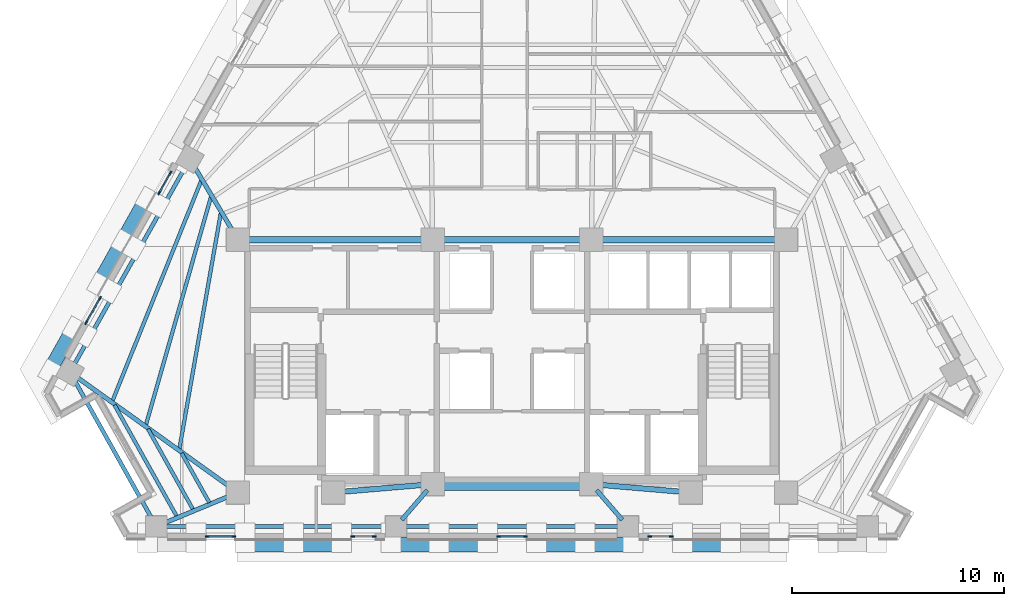
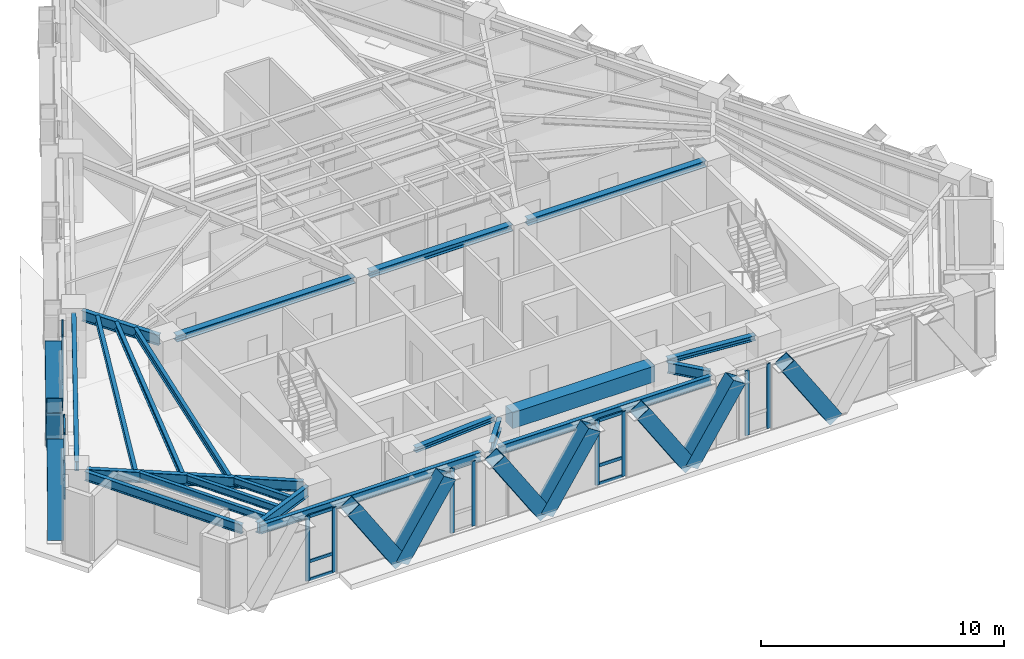
# One storey, part 2 of 13: 34 members, 21 beams, 6 elements without a shape of their own.
"""IFC4 building model written with IfcOpenShell, lengths in metres."""

from ifc_helpers import new_model, si_unit, direction, frame, origin, origin_2d, place, context, subcontext, project, spatial, rectangle, hollow_rectangle, i_section, extrude, material, material_profile, profile_set, type_object, element, aggregate, save


model = new_model("IFC4")

# Units and contexts
model_context = context("Model", 3, precision=1e-05, world=origin(), true_north=direction((0.0, 1.0)))
body_context = subcontext(model_context, "Body", "Model", "MODEL_VIEW")
ifc_project = project(units=[si_unit("LENGTHUNIT", "METRE"), si_unit("AREAUNIT", "SQUARE_METRE"), si_unit("VOLUMEUNIT", "CUBIC_METRE"), si_unit("PLANEANGLEUNIT", "RADIAN"), si_unit("MASSUNIT", "GRAM", prefix="KILO")], contexts=[model_context])

# Site, building, storey
site_placement = place(None, origin())
site = spatial("IfcSite", under=ifc_project, at=site_placement, CompositionType="ELEMENT")
building_placement = place(site_placement, origin())
building = spatial("IfcBuilding", under=site, at=building_placement, Name="Quenlor Broadcast Tower", CompositionType="ELEMENT")
storey_placement = place(building_placement, frame((0.0, 0.0, 130.0)))
storey = spatial("IfcBuildingStorey", under=building, at=storey_placement, Name="L35", CompositionType="ELEMENT", Elevation=130.0)

# Curtain wall, members
ifc_material_1 = material(Name="Architectural Terracotta and Low-E Glazing", Category="masonry")
curtain_wall_type = type_object("IfcCurtainWallType", Name="Unitised Terracotta Curtain Wall System Z3", PredefinedType="NOTDEFINED", material=ifc_material_1)
curtain_wall_1_placement = place(storey_placement, origin())
curtain_wall_1 = element("IfcCurtainWall", 1, at=curtain_wall_1_placement, inside=storey, type_object=curtain_wall_type, Name="L35 Curtain Wall CW3 (L35-SA-G2)", PredefinedType="NOTDEFINED")
ifc_material_2 = material(Name="Aluminium 6063-T6", Category="aluminium")
ifc_material_profile_1 = material_profile(ifc_material_2, rectangle(XDim=0.070068359375, YDim=0.18994140625, at=origin_2d()))
ifc_profile_set_1 = profile_set([ifc_material_profile_1], Name="Aluminium 6063-T6 MULL70x190")
member_type_1 = type_object("IfcMemberType", Name="CW3 Aluminium Mullion MULL_CW3", PredefinedType="MULLION", material=ifc_profile_set_1)
member_1_placement = place(storey_placement, frame((7.52197265625, -18.824951171875, 0.0), z_axis=(0.0, 0.0, 1.0), x_axis=(0.0, -1.0, 0.0)))
member_1 = element("IfcMember", 2, at=member_1_placement, type_object=member_type_1, Name="CW3 mullion 1", PredefinedType="MULLION", context=body_context, shape_type="SweptSolid", body=[
    extrude(rectangle(XDim=0.070068359375, YDim=0.18994140625, at=origin_2d()), origin(), (0.0, 0.0, 1.0), 3.25),
])
member_2_placement = place(storey_placement, frame((6.5009765625, -18.824951171875, 0.0), z_axis=(0.0, 0.0, 1.0), x_axis=(0.0, -1.0, 0.0)))
member_2 = element("IfcMember", 3, at=member_2_placement, type_object=member_type_1, Name="CW3 mullion 2", PredefinedType="MULLION", context=body_context, shape_type="SweptSolid", body=[
    extrude(rectangle(XDim=0.070068359375, YDim=0.18994140625, at=origin_2d()), origin(), (0.0, 0.0, 1.0), 3.25),
])
aggregate(curtain_wall_1, [member_1, member_2])

curtain_wall_2_placement = place(storey_placement, origin())
curtain_wall_2 = element("IfcCurtainWall", 4, at=curtain_wall_2_placement, inside=storey, type_object=curtain_wall_type, Name="L35 Curtain Wall CW3 (L35-SC-G1)", PredefinedType="NOTDEFINED")
member_3_placement = place(storey_placement, frame((-6.5009765625, -18.824951171875, 0.0), z_axis=(0.0, 0.0, 1.0), x_axis=(0.0, -1.0, 0.0)))
member_3 = element("IfcMember", 5, at=member_3_placement, type_object=member_type_1, Name="CW3 mullion 1", PredefinedType="MULLION", context=body_context, shape_type="SweptSolid", body=[
    extrude(rectangle(XDim=0.070068359375, YDim=0.18994140625, at=origin_2d()), origin(), (0.0, 0.0, 1.0), 3.25),
])
member_4_placement = place(storey_placement, frame((-7.52197265625, -18.824951171875, 0.0), z_axis=(0.0, 0.0, 1.0), x_axis=(0.0, -1.0, 0.0)))
member_4 = element("IfcMember", 6, at=member_4_placement, type_object=member_type_1, Name="CW3 mullion 2", PredefinedType="MULLION", context=body_context, shape_type="SweptSolid", body=[
    extrude(rectangle(XDim=0.070068359375, YDim=0.18994140625, at=origin_2d()), origin(), (0.0, 0.0, 1.0), 3.25),
])
aggregate(curtain_wall_2, [member_3, member_4])

curtain_wall_3_placement = place(storey_placement, origin())
curtain_wall_3 = element("IfcCurtainWall", 7, at=curtain_wall_3_placement, inside=storey, type_object=curtain_wall_type, Name="L35 Curtain Wall CW3 (L35-SC-G2)", PredefinedType="NOTDEFINED")
member_5_placement = place(storey_placement, frame((-13.14208984375, -18.824951171875, 0.0), z_axis=(0.0, 0.0, 1.0), x_axis=(0.0, -1.0, 0.0)))
member_5 = element("IfcMember", 8, at=member_5_placement, type_object=member_type_1, Name="CW3 mullion 1", PredefinedType="MULLION", context=body_context, shape_type="SweptSolid", body=[
    extrude(rectangle(XDim=0.070068359375, YDim=0.18994140625, at=origin_2d()), origin(), (0.0, 0.0, 1.0), 3.25),
])
member_6_placement = place(storey_placement, frame((-14.409912109375, -18.824951171875, 0.0), z_axis=(0.0, 0.0, 1.0), x_axis=(0.0, -1.0, 0.0)))
member_6 = element("IfcMember", 9, at=member_6_placement, type_object=member_type_1, Name="CW3 mullion 2", PredefinedType="MULLION", context=body_context, shape_type="SweptSolid", body=[
    extrude(rectangle(XDim=0.070068359375, YDim=0.18994140625, at=origin_2d()), origin(), (0.0, 0.0, 1.0), 3.25),
])

curtain_wall_4_placement = place(storey_placement, origin())
curtain_wall_4 = element("IfcCurtainWall", 10, at=curtain_wall_4_placement, inside=storey, type_object=curtain_wall_type, Name="L35 Curtain Wall CW3 (L35-S-G1)", PredefinedType="NOTDEFINED")
member_7_placement = place(storey_placement, frame((0.634033203125, -18.824951171875, 0.0), z_axis=(0.0, 0.0, 1.0), x_axis=(0.0, -1.0, 0.0)))
member_7 = element("IfcMember", 11, at=member_7_placement, type_object=member_type_1, Name="CW3 mullion 1", PredefinedType="MULLION", context=body_context, shape_type="SweptSolid", body=[
    extrude(rectangle(XDim=0.070068359375, YDim=0.18994140625, at=origin_2d()), origin(), (0.0, 0.0, 1.0), 3.25),
])
member_8_placement = place(storey_placement, frame((-0.634033203125, -18.824951171875, 0.0), z_axis=(0.0, 0.0, 1.0), x_axis=(0.0, -1.0, 0.0)))
member_8 = element("IfcMember", 12, at=member_8_placement, type_object=member_type_1, Name="CW3 mullion 2", PredefinedType="MULLION", context=body_context, shape_type="SweptSolid", body=[
    extrude(rectangle(XDim=0.070068359375, YDim=0.18994140625, at=origin_2d()), origin(), (0.0, 0.0, 1.0), 3.25),
])

curtain_wall_5_placement = place(storey_placement, origin())
curtain_wall_5 = element("IfcCurtainWall", 13, at=curtain_wall_5_placement, inside=storey, type_object=curtain_wall_type, Name="L35 Curtain Wall CW3 (L35-NWA-G1)", PredefinedType="NOTDEFINED")
member_9_placement = place(storey_placement, frame((-20.1171875, -8.720703125, 0.0), z_axis=(0.0, 0.0, 1.0), x_axis=(-0.871575537123, 0.490261239636, 0.0)))
member_9 = element("IfcMember", 14, at=member_9_placement, type_object=member_type_1, Name="CW3 mullion 1", PredefinedType="MULLION", context=body_context, shape_type="SweptSolid", body=[
    extrude(rectangle(XDim=0.070068359375, YDim=0.18994140625, at=origin_2d()), origin(), (0.0, 0.0, 1.0), 3.25),
])
member_10_placement = place(storey_placement, frame((-19.47021484375, -7.570556640625, 0.0), z_axis=(0.0, 0.0, 1.0), x_axis=(-0.871575537123, 0.490261239636, 0.0)))
member_10 = element("IfcMember", 15, at=member_10_placement, type_object=member_type_1, Name="CW3 mullion 2", PredefinedType="MULLION", context=body_context, shape_type="SweptSolid", body=[
    extrude(rectangle(XDim=0.070068359375, YDim=0.18994140625, at=origin_2d()), origin(), (0.0, 0.0, 1.0), 3.25),
])

curtain_wall_6_placement = place(storey_placement, origin())
curtain_wall_6 = element("IfcCurtainWall", 16, at=curtain_wall_6_placement, inside=storey, type_object=curtain_wall_type, Name="L35 Curtain Wall CW3 (L35-NWA-G2)", PredefinedType="NOTDEFINED")
member_11_placement = place(storey_placement, frame((-16.6689453125, -2.5908203125, 0.0), z_axis=(0.0, 0.0, 1.0), x_axis=(-0.871580169247, 0.490253004657, 0.0)))
member_11 = element("IfcMember", 17, at=member_11_placement, type_object=member_type_1, Name="CW3 mullion 1", PredefinedType="MULLION", context=body_context, shape_type="SweptSolid", body=[
    extrude(rectangle(XDim=0.070068359375, YDim=0.18994140625, at=origin_2d()), origin(), (0.0, 0.0, 1.0), 3.25),
])
member_12_placement = place(storey_placement, frame((-16.137939453125, -1.646728515625, 0.0), z_axis=(0.0, 0.0, 1.0), x_axis=(-0.871580169247, 0.490253004657, 0.0)))
member_12 = element("IfcMember", 18, at=member_12_placement, type_object=member_type_1, Name="CW3 mullion 2", PredefinedType="MULLION", context=body_context, shape_type="SweptSolid", body=[
    extrude(rectangle(XDim=0.070068359375, YDim=0.18994140625, at=origin_2d()), origin(), (0.0, 0.0, 1.0), 3.25),
])

# Member
ifc_material_3 = material(Name="Aluminium 6063-T6", Category="aluminium")
ifc_material_profile_2 = material_profile(ifc_material_3, rectangle(XDim=0.070068359375, YDim=0.155029296875, at=origin_2d()))
ifc_profile_set_2 = profile_set([ifc_material_profile_2], Name="Aluminium 6063-T6 TRAN70x155")
member_type_2 = type_object("IfcMemberType", Name="CW3 Aluminium Transom TRAN_CW3", PredefinedType="USERDEFINED", material=ifc_profile_set_2)
member_13_placement = place(storey_placement, frame((-13.177001953125, -18.824951171875, 0.034912109375), z_axis=(-1.0, 0.0, 0.0), x_axis=(0.0, -1.0, 0.0)))
member_13 = element("IfcMember", 19, at=member_13_placement, type_object=member_type_2, Name="CW3 transom 1.1", ObjectType="TRANSOM", PredefinedType="USERDEFINED", context=body_context, shape_type="SweptSolid", body=[
    extrude(rectangle(XDim=0.070068359375, YDim=0.155029296875, at=origin_2d()), origin(), (0.0, 0.0, 1.0), 1.197998046875),
])

member_14_placement = place(storey_placement, frame((-13.177001953125, -18.824951171875, 0.949951171875), z_axis=(-1.0, 0.0, 0.0), x_axis=(0.0, -1.0, 0.0)))
member_14 = element("IfcMember", 20, at=member_14_placement, type_object=member_type_2, Name="CW3 transom 1.2", ObjectType="TRANSOM", PredefinedType="USERDEFINED", context=body_context, shape_type="SweptSolid", body=[
    extrude(rectangle(XDim=0.070068359375, YDim=0.155029296875, at=origin_2d()), origin(), (0.0, 0.0, 1.0), 1.197998046875),
])

member_15_placement = place(storey_placement, frame((-13.177001953125, -18.824951171875, 3.215087890625), z_axis=(-1.0, 0.0, 0.0), x_axis=(0.0, -1.0, 0.0)))
member_15 = element("IfcMember", 21, at=member_15_placement, type_object=member_type_2, Name="CW3 transom 1.3", ObjectType="TRANSOM", PredefinedType="USERDEFINED", context=body_context, shape_type="SweptSolid", body=[
    extrude(rectangle(XDim=0.070068359375, YDim=0.155029296875, at=origin_2d()), origin(), (0.0, 0.0, 1.0), 1.197998046875),
])

aggregate(curtain_wall_3, [member_5, member_6, member_13, member_14, member_15])

member_16_placement = place(storey_placement, frame((0.59912109375, -18.824951171875, 0.034912109375), z_axis=(-1.0, 0.0, 0.0), x_axis=(0.0, -1.0, 0.0)))
member_16 = element("IfcMember", 22, at=member_16_placement, type_object=member_type_2, Name="CW3 transom 1.1", ObjectType="TRANSOM", PredefinedType="USERDEFINED", context=body_context, shape_type="SweptSolid", body=[
    extrude(rectangle(XDim=0.070068359375, YDim=0.155029296875, at=origin_2d()), origin(), (0.0, 0.0, 1.0), 1.1982421875),
])

member_17_placement = place(storey_placement, frame((0.59912109375, -18.824951171875, 0.949951171875), z_axis=(-1.0, 0.0, 0.0), x_axis=(0.0, -1.0, 0.0)))
member_17 = element("IfcMember", 23, at=member_17_placement, type_object=member_type_2, Name="CW3 transom 1.2", ObjectType="TRANSOM", PredefinedType="USERDEFINED", context=body_context, shape_type="SweptSolid", body=[
    extrude(rectangle(XDim=0.070068359375, YDim=0.155029296875, at=origin_2d()), origin(), (0.0, 0.0, 1.0), 1.1982421875),
])

member_18_placement = place(storey_placement, frame((0.59912109375, -18.824951171875, 3.215087890625), z_axis=(-1.0, 0.0, 0.0), x_axis=(0.0, -1.0, 0.0)))
member_18 = element("IfcMember", 24, at=member_18_placement, type_object=member_type_2, Name="CW3 transom 1.3", ObjectType="TRANSOM", PredefinedType="USERDEFINED", context=body_context, shape_type="SweptSolid", body=[
    extrude(rectangle(XDim=0.070068359375, YDim=0.155029296875, at=origin_2d()), origin(), (0.0, 0.0, 1.0), 1.1982421875),
])

aggregate(curtain_wall_4, [member_7, member_8, member_16, member_17, member_18])

member_19_placement = place(storey_placement, frame((-20.10009765625, -8.690185546875, 0.034912109375), z_axis=(0.490363266059, 0.871518139398, 0.0), x_axis=(-0.871518139398, 0.490363266059, 0.0)))
member_19 = element("IfcMember", 25, at=member_19_placement, type_object=member_type_2, Name="CW3 transom 1.1", ObjectType="TRANSOM", PredefinedType="USERDEFINED", context=body_context, shape_type="SweptSolid", body=[
    extrude(rectangle(XDim=0.070068359375, YDim=0.155029296875, at=origin_2d()), origin(), (0.0, 0.0, 1.0), 1.249755859375),
])

member_20_placement = place(storey_placement, frame((-20.10009765625, -8.690185546875, 0.949951171875), z_axis=(0.490363266059, 0.871518139398, 0.0), x_axis=(-0.871518139398, 0.490363266059, 0.0)))
member_20 = element("IfcMember", 26, at=member_20_placement, type_object=member_type_2, Name="CW3 transom 1.2", ObjectType="TRANSOM", PredefinedType="USERDEFINED", context=body_context, shape_type="SweptSolid", body=[
    extrude(rectangle(XDim=0.070068359375, YDim=0.155029296875, at=origin_2d()), origin(), (0.0, 0.0, 1.0), 1.249755859375),
])

member_21_placement = place(storey_placement, frame((-20.10009765625, -8.690185546875, 3.215087890625), z_axis=(0.490363266059, 0.871518139398, 0.0), x_axis=(-0.871518139398, 0.490363266059, 0.0)))
member_21 = element("IfcMember", 27, at=member_21_placement, type_object=member_type_2, Name="CW3 transom 1.3", ObjectType="TRANSOM", PredefinedType="USERDEFINED", context=body_context, shape_type="SweptSolid", body=[
    extrude(rectangle(XDim=0.070068359375, YDim=0.155029296875, at=origin_2d()), origin(), (0.0, 0.0, 1.0), 1.249755859375),
])

aggregate(curtain_wall_5, [member_9, member_10, member_19, member_20, member_21])

member_22_placement = place(storey_placement, frame((-16.65185546875, -2.560302734375, 0.034912109375), z_axis=(0.49015826449, 0.871633452635, 0.0), x_axis=(-0.871633452635, 0.49015826449, 0.0)))
member_22 = element("IfcMember", 28, at=member_22_placement, type_object=member_type_2, Name="CW3 transom 1.1", ObjectType="TRANSOM", PredefinedType="USERDEFINED", context=body_context, shape_type="SweptSolid", body=[
    extrude(rectangle(XDim=0.070068359375, YDim=0.155029296875, at=origin_2d()), origin(), (0.0, 0.0, 1.0), 1.01318359375),
])

member_23_placement = place(storey_placement, frame((-16.65185546875, -2.560302734375, 0.949951171875), z_axis=(0.49015826449, 0.871633452635, 0.0), x_axis=(-0.871633452635, 0.49015826449, 0.0)))
member_23 = element("IfcMember", 29, at=member_23_placement, type_object=member_type_2, Name="CW3 transom 1.2", ObjectType="TRANSOM", PredefinedType="USERDEFINED", context=body_context, shape_type="SweptSolid", body=[
    extrude(rectangle(XDim=0.070068359375, YDim=0.155029296875, at=origin_2d()), origin(), (0.0, 0.0, 1.0), 1.01318359375),
])

member_24_placement = place(storey_placement, frame((-16.65185546875, -2.560302734375, 3.215087890625), z_axis=(0.49015826449, 0.871633452635, 0.0), x_axis=(-0.871633452635, 0.49015826449, 0.0)))
member_24 = element("IfcMember", 30, at=member_24_placement, type_object=member_type_2, Name="CW3 transom 1.3", ObjectType="TRANSOM", PredefinedType="USERDEFINED", context=body_context, shape_type="SweptSolid", body=[
    extrude(rectangle(XDim=0.070068359375, YDim=0.155029296875, at=origin_2d()), origin(), (0.0, 0.0, 1.0), 1.01318359375),
])

aggregate(curtain_wall_6, [member_11, member_12, member_22, member_23, member_24])

# Beams
ifc_material_4 = material(Name="Concrete C50/60", Category="concrete")
ifc_material_profile_3 = material_profile(ifc_material_4, rectangle(XDim=0.60009765625, YDim=0.800048828125, at=origin_2d()))
ifc_profile_set_3 = profile_set([ifc_material_profile_3], Name="Concrete C50/60 RCB600x800")
beam_type_1 = type_object("IfcBeamType", Name="Core Coupling Beam Concrete C50/60 600x800", PredefinedType="BEAM", material=ifc_profile_set_3)
beam_1_placement = place(storey_placement, frame((-3.389892578125, -16.35009765625, 2.85009765625), z_axis=(1.0, 0.0, 0.0), x_axis=(0.0, 1.0, 0.0)))
element("IfcBeam", 31, at=beam_1_placement, inside=storey, type_object=beam_type_1, Name="L35 Core Coupling Beam 6", PredefinedType="BEAM", context=body_context, shape_type="SweptSolid", body=[
    extrude(rectangle(XDim=0.60009765625, YDim=0.800048828125, at=origin_2d()), origin(), (0.0, 0.0, 1.0), 6.77978515625),
])
ifc_material_5 = material(Name="Steel S355", Category="steel")
ifc_material_profile_4 = material_profile(ifc_material_5, i_section(OverallWidth=0.304931640625, OverallDepth=0.30810546875, WebThickness=0.010009765625, FlangeThickness=0.015380859375, FilletRadius=0.0166015625, at=origin_2d()))
ifc_profile_set_4 = profile_set([ifc_material_profile_4], Name="Steel S355 310UC96.8")
beam_type_2 = type_object("IfcBeamType", Name="Core Header Beam Steel S355 310UC96.8", PredefinedType="BEAM", material=ifc_profile_set_4)
beam_2_placement = place(storey_placement, frame((-3.389892578125, -4.800048828125, 3.095947265625), z_axis=(1.0, 0.0, 0.0), x_axis=(0.0, 1.0, 0.0)))
element("IfcBeam", 32, at=beam_2_placement, inside=storey, type_object=beam_type_2, Name="L35 Core Header Beam 2", PredefinedType="BEAM", context=body_context, shape_type="SweptSolid", body=[
    extrude(i_section(OverallWidth=0.304931640625, OverallDepth=0.30810546875, WebThickness=0.010009765625, FlangeThickness=0.015380859375, FilletRadius=0.0166015625, at=origin_2d()), origin(), (0.0, 0.0, 1.0), 6.77978515625),
])
ifc_material_6 = material(Name="Steel S355", Category="steel")
ifc_material_profile_5 = material_profile(ifc_material_6, i_section(OverallWidth=0.25390625, OverallDepth=0.25390625, WebThickness=0.008544921875, FlangeThickness=0.01416015625, FilletRadius=0.013916015625, at=origin_2d()))
ifc_profile_set_5 = profile_set([ifc_material_profile_5], Name="Steel S355 250UC72.9")
beam_type_3 = type_object("IfcBeamType", Name="Core Opening Lintel Beam Steel S355 250UC72.9", PredefinedType="LINTEL", material=ifc_profile_set_5)
for number, where, z_axis, x_axis, name in (
    (33, (-8.09130859375, -16.719482421875, 3.123046875), (0.996399763903, 0.084779186679, 0.0), (-0.084779186679, 0.996399763903, 0.0), "L35 Core Opening Lintel Beam 4"),
    (34, (4.108642578125, -16.380615234375, 3.123046875), (0.996399763903, -0.084779186679, 0.0), (0.084779186679, 0.996399763903, 0.0), "L35 Core Opening Lintel Beam 5"),
):
    element("IfcBeam", number, at=place(storey_placement, frame(where, z_axis=z_axis, x_axis=x_axis)), inside=storey, type_object=beam_type_3, Name=name, PredefinedType="LINTEL", context=body_context, shape_type="SweptSolid", body=[
        extrude(i_section(OverallWidth=0.25390625, OverallDepth=0.25390625, WebThickness=0.008544921875, FlangeThickness=0.01416015625, FilletRadius=0.013916015625, at=origin_2d()), origin(), (0.0, 0.0, 1.0), 3.9970703125),
    ])
ifc_material_7 = material(Name="Steel S355", Category="steel")
ifc_material_profile_6 = material_profile(ifc_material_7, i_section(OverallWidth=0.306884765625, OverallDepth=0.314697265625, WebThickness=0.011962890625, FlangeThickness=0.018798828125, FilletRadius=0.0166015625, at=origin_2d()))
ifc_profile_set_6 = profile_set([ifc_material_profile_6], Name="Steel S355 310UC118")
beam_type_4 = type_object("IfcBeamType", Name="Core Tie Beam Steel S355 310UC118", PredefinedType="BEAM", material=ifc_profile_set_6)
for number, where, z_axis, x_axis, name in (
    (35, (-12.590087890625, -4.800048828125, 3.0927734375), (1.0, 0.0, 0.0), (0.0, 1.0, 0.0), "L35 Core Tie Beam 1"),
    (36, (4.110107421875, -4.800048828125, 3.0927734375), (1.0, 0.0, 0.0), (0.0, 1.0, 0.0), "L35 Core Tie Beam 3"),
):
    element("IfcBeam", number, at=place(storey_placement, frame(where, z_axis=z_axis, x_axis=x_axis)), inside=storey, type_object=beam_type_4, Name=name, PredefinedType="BEAM", context=body_context, shape_type="SweptSolid", body=[
        extrude(i_section(OverallWidth=0.306884765625, OverallDepth=0.314697265625, WebThickness=0.011962890625, FlangeThickness=0.018798828125, FilletRadius=0.0166015625, at=origin_2d()), origin(), (0.0, 0.0, 1.0), 8.47998046875),
    ])

# Members
ifc_material_8 = material(Name="Steel S355", Category="steel")
ifc_material_profile_7 = material_profile(ifc_material_8, hollow_rectangle(XDim=0.679931640625, YDim=0.679931640625, WallThickness=0.02490234375, at=origin_2d()))
ifc_profile_set_7 = profile_set([ifc_material_profile_7], Name="Steel S355 RHS680x680x25")
member_type_3 = type_object("IfcMemberType", Name="Perimeter Diagonal Lattice Brace Z3-Z4 Steel S355 RHS680x25", PredefinedType="BRACE", material=ifc_profile_set_7)
member_25_placement = place(storey_placement, frame((10.318115234375, -19.219970703125, -0.1201171875), z_axis=(-0.543860340502, 0.0, 0.839175744424), x_axis=(0.0, -1.0, 0.0)))
element("IfcMember", 37, at=member_25_placement, inside=storey, type_object=member_type_3, Name="L35 Perimeter Diamond Lattice S-C2S", PredefinedType="BRACE", context=body_context, shape_type="SweptSolid", body=[
    extrude(hollow_rectangle(XDim=0.679931640625, YDim=0.679931640625, WallThickness=0.02490234375, at=origin_2d()), origin(), (0.0, 0.0, 1.0), 4.170654296875),
])
member_26_placement = place(storey_placement, frame((3.457763671875, -19.219970703125, -0.1201171875), z_axis=(0.543901560697, 0.0, 0.839149028643), x_axis=(0.0, 1.0, 0.0)))
element("IfcMember", 38, at=member_26_placement, inside=storey, type_object=member_type_3, Name="L35 Perimeter Diamond Lattice S-C2B", PredefinedType="BRACE", context=body_context, shape_type="SweptSolid", body=[
    extrude(hollow_rectangle(XDim=0.679931640625, YDim=0.679931640625, WallThickness=0.02490234375, at=origin_2d()), origin(), (0.0, 0.0, 1.0), 4.1708984375),
])
for number, where, z_axis, x_axis, name in (
    (39, (3.43017578125, -19.219970703125, -0.1201171875), (-0.543860340502, 0.0, 0.839175744424), (0.0, -1.0, 0.0), "L35 Perimeter Diamond Lattice S-C3S"),
    (40, (-3.43017578125, -19.219970703125, -0.1201171875), (0.543860340502, 0.0, 0.839175744424), (0.0, 1.0, 0.0), "L35 Perimeter Diamond Lattice S-C3B"),
):
    element("IfcMember", number, at=place(storey_placement, frame(where, z_axis=z_axis, x_axis=x_axis)), inside=storey, type_object=member_type_3, Name=name, PredefinedType="BRACE", context=body_context, shape_type="SweptSolid", body=[
        extrude(hollow_rectangle(XDim=0.679931640625, YDim=0.679931640625, WallThickness=0.02490234375, at=origin_2d()), origin(), (0.0, 0.0, 1.0), 4.170654296875),
    ])
member_27_placement = place(storey_placement, frame((-3.457763671875, -19.219970703125, -0.1201171875), z_axis=(-0.543901560697, 0.0, 0.839149028643), x_axis=(0.0, -1.0, 0.0)))
element("IfcMember", 41, at=member_27_placement, inside=storey, type_object=member_type_3, Name="L35 Perimeter Diamond Lattice S-C4S", PredefinedType="BRACE", context=body_context, shape_type="SweptSolid", body=[
    extrude(hollow_rectangle(XDim=0.679931640625, YDim=0.679931640625, WallThickness=0.02490234375, at=origin_2d()), origin(), (0.0, 0.0, 1.0), 4.1708984375),
])
member_28_placement = place(storey_placement, frame((-10.318115234375, -19.219970703125, -0.1201171875), z_axis=(0.543860340502, 0.0, 0.839175744424), x_axis=(0.0, 1.0, 0.0)))
element("IfcMember", 42, at=member_28_placement, inside=storey, type_object=member_type_3, Name="L35 Perimeter Diamond Lattice S-C4B", PredefinedType="BRACE", context=body_context, shape_type="SweptSolid", body=[
    extrude(hollow_rectangle(XDim=0.679931640625, YDim=0.679931640625, WallThickness=0.02490234375, at=origin_2d()), origin(), (0.0, 0.0, 1.0), 4.170654296875),
])
member_29_placement = place(storey_placement, frame((-10.345703125, -19.219970703125, -0.1201171875), z_axis=(-0.543901560697, 0.0, 0.839149028643), x_axis=(0.0, -1.0, 0.0)))
element("IfcMember", 43, at=member_29_placement, inside=storey, type_object=member_type_3, Name="L35 Perimeter Diamond Lattice S-C5S", PredefinedType="BRACE", context=body_context, shape_type="SweptSolid", body=[
    extrude(hollow_rectangle(XDim=0.679931640625, YDim=0.679931640625, WallThickness=0.02490234375, at=origin_2d()), origin(), (0.0, 0.0, 1.0), 4.1708984375),
])
for number, where, z_axis, x_axis, name in (
    (44, (-21.85498046875, -11.004638671875, -0.1201171875), (0.2705491942, 0.481008661973, 0.833926735766), (-0.871589611547, 0.490236217596, 0.0), "L35 Perimeter Diamond Lattice NW-C1S"),
    (45, (-18.4208984375, -4.8994140625, -0.1201171875), (-0.2705491942, -0.481008661973, 0.833926735766), (0.871589611547, -0.490236217596, 0.0), "L35 Perimeter Diamond Lattice NW-C1B"),
    (46, (-18.406982421875, -4.874755859375, -0.1201171875), (0.2705491942, 0.481008661973, 0.833926735766), (-0.871589611547, 0.490236217596, 0.0), "L35 Perimeter Diamond Lattice NW-C2S"),
):
    element("IfcMember", number, at=place(storey_placement, frame(where, z_axis=z_axis, x_axis=x_axis)), inside=storey, type_object=member_type_3, Name=name, PredefinedType="BRACE", context=body_context, shape_type="SweptSolid", body=[
        extrude(hollow_rectangle(XDim=0.679931640625, YDim=0.679931640625, WallThickness=0.02490234375, at=origin_2d()), origin(), (0.0, 0.0, 1.0), 4.197021484375),
    ])

# Beams
ifc_material_9 = material(Name="Steel S355", Category="steel")
ifc_material_profile_8 = material_profile(ifc_material_9, i_section(OverallWidth=0.19091796875, OverallDepth=0.46044921875, WebThickness=0.010009765625, FlangeThickness=0.01611328125, FilletRadius=0.011474609375, at=origin_2d()))
ifc_profile_set_8 = profile_set([ifc_material_profile_8], Name="Steel S355 460UB82.1")
beam_type_5 = type_object("IfcBeamType", Name="Perimeter Spandrel Beam Z3 Steel S355 460UB82.1", PredefinedType="SPANDREL", material=ifc_profile_set_8)
beam_3_placement = place(storey_placement, frame((-16.3984375, -18.35009765625, 3.019775390625), z_axis=(1.0, 0.0, 0.0), x_axis=(0.0, 1.0, 0.0)))
element("IfcBeam", 47, at=beam_3_placement, inside=storey, type_object=beam_type_5, Name="L35 Spandrel Beam S1-S2", PredefinedType="SPANDREL", context=body_context, shape_type="SweptSolid", body=[
    extrude(i_section(OverallWidth=0.19091796875, OverallDepth=0.46044921875, WebThickness=0.010009765625, FlangeThickness=0.01611328125, FilletRadius=0.011474609375, at=origin_2d()), origin(), (0.0, 0.0, 1.0), 10.50732421875),
])
beam_4_placement = place(storey_placement, frame((-5.071044921875, -18.35009765625, 3.019775390625), z_axis=(1.0, 0.0, 0.0), x_axis=(0.0, 1.0, 0.0)))
element("IfcBeam", 48, at=beam_4_placement, inside=storey, type_object=beam_type_5, Name="L35 Spandrel Beam S2-S3", PredefinedType="SPANDREL", context=body_context, shape_type="SweptSolid", body=[
    extrude(i_section(OverallWidth=0.19091796875, OverallDepth=0.46044921875, WebThickness=0.010009765625, FlangeThickness=0.01611328125, FilletRadius=0.011474609375, at=origin_2d()), origin(), (0.0, 0.0, 1.0), 10.14208984375),
])
beam_5_placement = place(storey_placement, frame((-15.425048828125, -1.347900390625, 3.019775390625), z_axis=(-0.490257999604, -0.871577359633, 0.0), x_axis=(0.871577359633, -0.490257999604, 0.0)))
element("IfcBeam", 49, at=beam_5_placement, inside=storey, type_object=beam_type_5, Name="L35 Spandrel Beam NW3-NW4", PredefinedType="SPANDREL", context=body_context, shape_type="SweptSolid", body=[
    extrude(i_section(OverallWidth=0.19091796875, OverallDepth=0.46044921875, WebThickness=0.010009765625, FlangeThickness=0.01611328125, FilletRadius=0.011474609375, at=origin_2d()), origin(), (0.0, 0.0, 1.0), 10.732666015625),
])
beam_6_placement = place(storey_placement, frame((-20.6875, -11.417236328125, 3.019775390625), z_axis=(0.488298439934, -0.872676706208, 0.0), x_axis=(0.872676706208, 0.488298439934, 0.0)))
element("IfcBeam", 50, at=beam_6_placement, inside=storey, type_object=beam_type_5, Name="L35 Spandrel Beam NW4-S1", PredefinedType="SPANDREL", context=body_context, shape_type="SweptSolid", body=[
    extrude(i_section(OverallWidth=0.19091796875, OverallDepth=0.46044921875, WebThickness=0.010009765625, FlangeThickness=0.01611328125, FilletRadius=0.011474609375, at=origin_2d()), origin(), (0.0, 0.0, 1.0), 7.5341796875),
])
ifc_material_10 = material(Name="Steel S355", Category="steel")
ifc_material_profile_9 = material_profile(ifc_material_10, i_section(OverallWidth=0.172119140625, OverallDepth=0.358642578125, WebThickness=0.008056640625, FlangeThickness=0.012939453125, FilletRadius=0.011474609375, at=origin_2d()))
ifc_profile_set_9 = profile_set([ifc_material_profile_9], Name="Steel S355 360UB56.7")
beam_type_6 = type_object("IfcBeamType", Name="Tower Composite Joist Z2-Z3 Steel S355 360UB56.7", PredefinedType="JOIST", material=ifc_profile_set_9)
beam_7_placement = place(storey_placement, frame((-15.71435546875, -14.679443359375, 3.07080078125), z_axis=(0.172906811417, 0.984938188195, 0.0), x_axis=(-0.984938188195, 0.172906811417, 0.0)))
element("IfcBeam", 51, at=beam_7_placement, inside=storey, type_object=beam_type_6, Name="L35 Secondary Composite Joist 13", PredefinedType="JOIST", context=body_context, shape_type="SweptSolid", body=[
    extrude(i_section(OverallWidth=0.172119140625, OverallDepth=0.358642578125, WebThickness=0.008056640625, FlangeThickness=0.012939453125, FilletRadius=0.011474609375, at=origin_2d()), origin(), (0.0, 0.0, 1.0), 11.30419921875),
])
beam_8_placement = place(storey_placement, frame((-17.293701171875, -13.543212890625, 3.07080078125), z_axis=(0.274418577045, 0.961610339261, 0.0), x_axis=(-0.961610339261, 0.274418577045, 0.0)))
element("IfcBeam", 52, at=beam_8_placement, inside=storey, type_object=beam_type_6, Name="L35 Secondary Composite Joist 14", PredefinedType="JOIST", context=body_context, shape_type="SweptSolid", body=[
    extrude(i_section(OverallWidth=0.172119140625, OverallDepth=0.358642578125, WebThickness=0.008056640625, FlangeThickness=0.012939453125, FilletRadius=0.011474609375, at=origin_2d()), origin(), (0.0, 0.0, 1.0), 11.191162109375),
])
beam_9_placement = place(storey_placement, frame((-18.873291015625, -12.407958984375, 3.07080078125), z_axis=(0.373824118901, 0.927499610851, 0.0), x_axis=(-0.927499610851, 0.373824118901, 0.0)))
element("IfcBeam", 53, at=beam_9_placement, inside=storey, type_object=beam_type_6, Name="L35 Secondary Composite Joist 15", PredefinedType="JOIST", context=body_context, shape_type="SweptSolid", body=[
    extrude(i_section(OverallWidth=0.172119140625, OverallDepth=0.358642578125, WebThickness=0.008056640625, FlangeThickness=0.012939453125, FilletRadius=0.011474609375, at=origin_2d()), origin(), (0.0, 0.0, 1.0), 11.203125),
])
beam_10_placement = place(storey_placement, frame((-14.30078125, -17.22412109375, 3.07080078125), z_axis=(-0.488370382241, 0.87263644764, 0.0), x_axis=(-0.87263644764, -0.488370382241, 0.0)))
element("IfcBeam", 54, at=beam_10_placement, inside=storey, type_object=beam_type_6, Name="L35 Secondary Composite Joist 19", PredefinedType="JOIST", context=body_context, shape_type="SweptSolid", body=[
    extrude(i_section(OverallWidth=0.172119140625, OverallDepth=0.358642578125, WebThickness=0.008056640625, FlangeThickness=0.012939453125, FilletRadius=0.011474609375, at=origin_2d()), origin(), (0.0, 0.0, 1.0), 2.680419921875),
])
beam_11_placement = place(storey_placement, frame((-15.072509765625, -17.544189453125, 3.07080078125), z_axis=(-0.488294103756, 0.872679132463, 0.0), x_axis=(-0.872679132463, -0.488294103756, 0.0)))
element("IfcBeam", 55, at=beam_11_placement, inside=storey, type_object=beam_type_6, Name="L35 Secondary Composite Joist 20", PredefinedType="JOIST", context=body_context, shape_type="SweptSolid", body=[
    extrude(i_section(OverallWidth=0.172119140625, OverallDepth=0.358642578125, WebThickness=0.008056640625, FlangeThickness=0.012939453125, FilletRadius=0.011474609375, at=origin_2d()), origin(), (0.0, 0.0, 1.0), 4.351318359375),
])
beam_12_placement = place(storey_placement, frame((-15.84423828125, -17.8642578125, 3.07080078125), z_axis=(-0.488308300212, 0.872671188905, 0.0), x_axis=(-0.872671188905, -0.488308300212, 0.0)))
element("IfcBeam", 56, at=beam_12_placement, inside=storey, type_object=beam_type_6, Name="L35 Secondary Composite Joist 21", PredefinedType="JOIST", context=body_context, shape_type="SweptSolid", body=[
    extrude(i_section(OverallWidth=0.172119140625, OverallDepth=0.358642578125, WebThickness=0.008056640625, FlangeThickness=0.012939453125, FilletRadius=0.011474609375, at=origin_2d()), origin(), (0.0, 0.0, 1.0), 6.022216796875),
])
ifc_material_11 = material(Name="Steel S355", Category="steel")
ifc_material_profile_10 = material_profile(ifc_material_11, i_section(OverallWidth=0.208984375, OverallDepth=0.532958984375, WebThickness=0.01025390625, FlangeThickness=0.015625, FilletRadius=0.013916015625, at=origin_2d()))
ifc_profile_set_10 = profile_set([ifc_material_profile_10], Name="Steel S355 530UB92.4")
beam_type_7 = type_object("IfcBeamType", Name="Tower Primary Floor Beam Z3 Steel S355 530UB92.4", PredefinedType="BEAM", material=ifc_profile_set_10)
beam_13_placement = place(storey_placement, frame((-16.4296875, -18.19287109375, 2.9833984375), z_axis=(0.923730294618, 0.383043525993, 0.0), x_axis=(-0.383043525993, 0.923730294618, 0.0)))
element("IfcBeam", 57, at=beam_13_placement, inside=storey, type_object=beam_type_7, Name="L35 Primary Radial Beam S1", PredefinedType="BEAM", context=body_context, shape_type="SweptSolid", body=[
    extrude(i_section(OverallWidth=0.208984375, OverallDepth=0.532958984375, WebThickness=0.01025390625, FlangeThickness=0.015625, FilletRadius=0.013916015625, at=origin_2d()), origin(), (0.0, 0.0, 1.0), 3.386962890625),
])
for number, where, z_axis, x_axis, name in (
    (58, (-5.212646484375, -18.0400390625, 2.9833984375), (0.654339118401, 0.75620124182, 0.0), (-0.75620124182, 0.654339118401, 0.0), "L35 Primary Radial Beam S2"),
    (59, (5.212646484375, -18.0400390625, 2.9833984375), (-0.654339118401, 0.75620124182, 0.0), (-0.75620124182, -0.654339118401, 0.0), "L35 Primary Radial Beam S3"),
):
    element("IfcBeam", number, at=place(storey_placement, frame(where, z_axis=z_axis, x_axis=x_axis)), inside=storey, type_object=beam_type_7, Name=name, PredefinedType="BEAM", context=body_context, shape_type="SweptSolid", body=[
        extrude(i_section(OverallWidth=0.208984375, OverallDepth=0.532958984375, WebThickness=0.01025390625, FlangeThickness=0.015625, FilletRadius=0.013916015625, at=origin_2d()), origin(), (0.0, 0.0, 1.0), 1.855224609375),
    ])
beam_14_placement = place(storey_placement, frame((-15.013916015625, -1.3427734375, 2.9833984375), z_axis=(0.512604023694, -0.858625130597, 0.0), x_axis=(0.858625130597, 0.512604023694, 0.0)))
element("IfcBeam", 60, at=beam_14_placement, inside=storey, type_object=beam_type_7, Name="L35 Primary Radial Beam NW3", PredefinedType="BEAM", context=body_context, shape_type="SweptSolid", body=[
    extrude(i_section(OverallWidth=0.208984375, OverallDepth=0.532958984375, WebThickness=0.01025390625, FlangeThickness=0.015625, FilletRadius=0.013916015625, at=origin_2d()), origin(), (0.0, 0.0, 1.0), 3.646484375),
])
beam_15_placement = place(storey_placement, frame((-20.554443359375, -11.29833984375, 2.9833984375), z_axis=(0.812728908832, -0.582642017666, 0.0), x_axis=(0.582642017666, 0.812728908832, 0.0)))
element("IfcBeam", 61, at=beam_15_placement, inside=storey, type_object=beam_type_7, Name="L35 Primary Radial Beam NW4", PredefinedType="BEAM", context=body_context, shape_type="SweptSolid", body=[
    extrude(i_section(OverallWidth=0.208984375, OverallDepth=0.532958984375, WebThickness=0.01025390625, FlangeThickness=0.015625, FilletRadius=0.013916015625, at=origin_2d()), origin(), (0.0, 0.0, 1.0), 8.976806640625),
])

save(model, "model.ifc")
